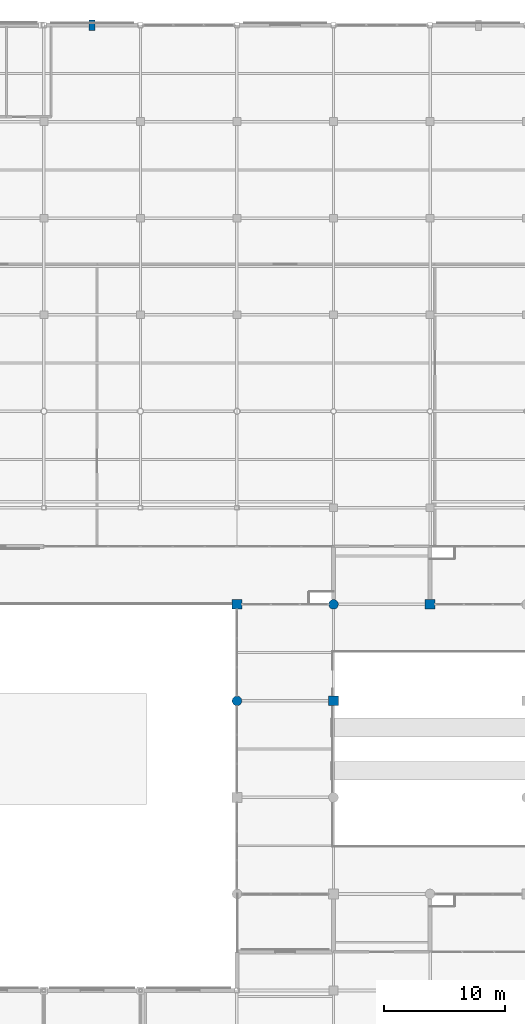
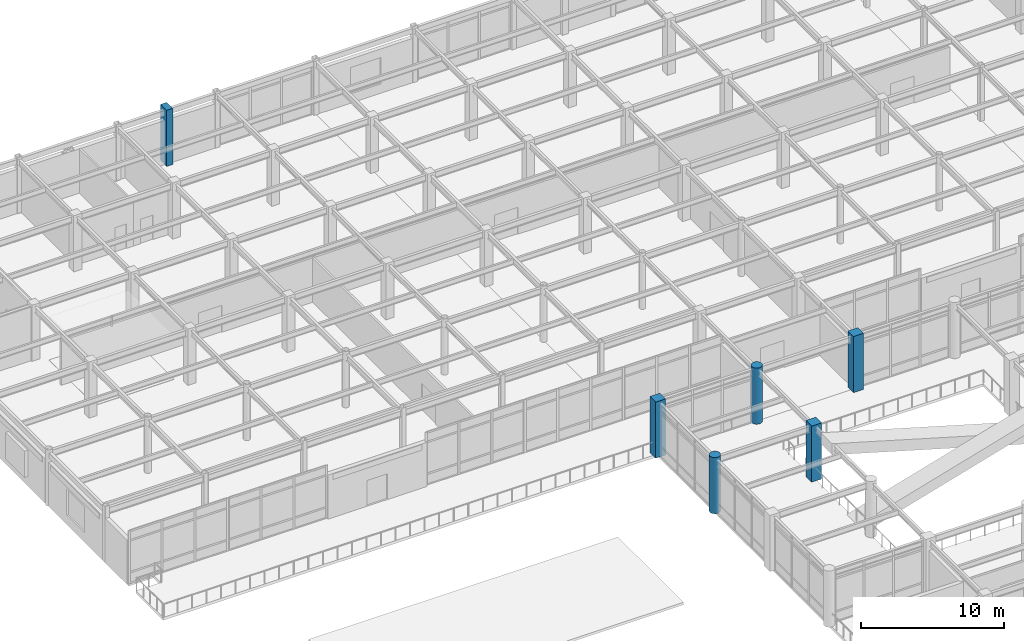
# One storey, part 11 of 117: 6 columns.
"""IFC4 building model written with IfcOpenShell, lengths in metres."""

import ifcopenshell
import ifcopenshell.guid

model = None  # the IFC model being written
_history = None  # IfcOwnerHistory: only IFC2X3 demands one
_inside = {}  # id of a spatial element -> (the spatial element, [elements in it])
_under = {}  # id of a project, library or spatial element -> (it, [spatial elements below it])
_declared = {}  # id of a project -> (the project, [libraries it declares])
_typed = {}  # id of a type object -> (the type object, [elements of that type])
_made_of = {}  # id of a material, layer set ... -> (it, [elements and type objects made of it])


def new_model(schema):
    """Start an empty IFC model of exactly this schema.

    Asked for "IFC4X3", IfcOpenShell would pick the latest addendum, in which some entities
    have other attributes; the version numbers below select the first issue.
    IFC2X3 requires an IfcOwnerHistory on every rooted entity: one is made here for all.
    """
    global model, _history
    if schema == "IFC4X3":
        model = ifcopenshell.file(schema_version=(4, 3, 0, 0))
    else:
        model = ifcopenshell.file(schema=schema)
    _inside.clear()
    _under.clear()
    _declared.clear()
    _typed.clear()
    _made_of.clear()
    _history = None
    if model.schema == "IFC2X3":
        org = make("IfcOrganization", Name="unknown")
        user = make(
            "IfcPersonAndOrganization",
            ThePerson=make("IfcPerson", FamilyName="unknown"),
            TheOrganization=org,
        )
        app = make(
            "IfcApplication",
            ApplicationDeveloper=org,
            Version="unknown",
            ApplicationFullName="unknown",
            ApplicationIdentifier="unknown",
        )
        _history = make(
            "IfcOwnerHistory",
            OwningUser=user,
            OwningApplication=app,
            ChangeAction="ADDED",
            CreationDate=0,
        )
    return model


def make(cls, **values):
    """One entity of the class cls with the attributes given. An attribute that is None is left unset."""
    return model.create_entity(
        cls, **{name: value for name, value in values.items() if value is not None}
    )


def rooted(cls, **values):
    """An entity with a GlobalId (a new one), such as an element, a storey or a relation."""
    return make(cls, GlobalId=ifcopenshell.guid.new(), OwnerHistory=_history, **values)


def si_unit(unit_type, name, prefix=None):
    """IfcSIUnit, for example si_unit("LENGTHUNIT", "METRE", prefix="MILLI")."""
    return make("IfcSIUnit", UnitType=unit_type, Prefix=prefix, Name=name)


def assignment(units):
    """IfcUnitAssignment: the units of a project."""
    return None if units is None else make("IfcUnitAssignment", Units=units)


def point(xyz):
    """IfcCartesianPoint."""
    return None if xyz is None else make("IfcCartesianPoint", Coordinates=xyz)


def direction(xyz):
    """IfcDirection."""
    return None if xyz is None else make("IfcDirection", DirectionRatios=xyz)


def frame(location, z_axis=None, x_axis=None):
    """IfcAxis2Placement3D, a coordinate frame: its origin and axes. An axis left out is left unset."""
    return make(
        "IfcAxis2Placement3D",
        Location=point(location),
        Axis=direction(z_axis),
        RefDirection=direction(x_axis),
    )


def frame_2d(location, x_axis=None):
    """IfcAxis2Placement2D, a coordinate frame in the plane: its origin and x axis."""
    return make(
        "IfcAxis2Placement2D", Location=point(location), RefDirection=direction(x_axis)
    )


def origin():
    """The frame at (0, 0, 0) with its axes left unset."""
    return frame((0.0, 0.0, 0.0))


def origin_2d():
    """The frame at (0, 0) in the plane with its x axis left unset."""
    return frame_2d((0.0, 0.0))


def place(relative_to, where):
    """IfcLocalPlacement: puts the frame where relative to a parent placement (None: the world)."""
    return make(
        "IfcLocalPlacement", PlacementRelTo=relative_to, RelativePlacement=where
    )


def context(
    kind, dimensions, precision=None, world=None, true_north=None, identifier=None
):
    """IfcGeometricRepresentationContext, for example the 3D "Model" context."""
    return make(
        "IfcGeometricRepresentationContext",
        ContextIdentifier=identifier,
        ContextType=kind,
        CoordinateSpaceDimension=dimensions,
        Precision=precision,
        WorldCoordinateSystem=world,
        TrueNorth=true_north,
    )


def subcontext(parent, identifier, kind, view, scale=None):
    """IfcGeometricRepresentationSubContext, for example "Body" below "Model"."""
    return make(
        "IfcGeometricRepresentationSubContext",
        ContextIdentifier=identifier,
        ContextType=kind,
        ParentContext=parent,
        TargetScale=scale,
        TargetView=view,
    )


def project(units=None, contexts=None):
    """IfcProject with its units and contexts."""
    return rooted(
        "IfcProject",
        Name="project",
        RepresentationContexts=contexts,
        UnitsInContext=assignment(units),
    )


def spatial(cls, under=None, at=None, **own):
    """A site, building, storey or space (cls), placed at a placement, below another one or the project."""
    s = rooted(cls, ObjectPlacement=at, **own)
    if under is not None:
        _under.setdefault(under.id(), (under, []))[1].append(s)
    return s


def profile(cls, at=None, kind="AREA", **sizes):
    """A parametric profile (cls). Its sizes go by their IFC names, for example OverallWidth=200.0."""
    return make(cls, ProfileType=kind, Position=at, **sizes)


def rectangle(**sizes):
    """IfcRectangleProfileDef."""
    return profile("IfcRectangleProfileDef", **sizes)


def circle(**sizes):
    """IfcCircleProfileDef."""
    return profile("IfcCircleProfileDef", **sizes)


def extrude(swept, where, along, depth):
    """IfcExtrudedAreaSolid: the profile swept, set in the frame where, extruded along a direction by depth."""
    return make(
        "IfcExtrudedAreaSolid",
        SweptArea=swept,
        Position=where,
        ExtrudedDirection=direction(along),
        Depth=depth,
    )


def shape(context_of_items, identifier, shape_type, items):
    """IfcShapeRepresentation: the items that make up one representation, for example the "Body"."""
    return make(
        "IfcShapeRepresentation",
        ContextOfItems=context_of_items,
        RepresentationIdentifier=identifier,
        RepresentationType=shape_type,
        Items=items,
    )


def material(Name=None, Category=None):
    """IfcMaterial."""
    return make("IfcMaterial", Name=Name, Category=Category)


def material_profile(
    of_material, cross_section, Name=None, Category=None, Priority=None
):
    """IfcMaterialProfile: a cross section and its material."""
    return make(
        "IfcMaterialProfile",
        Name=Name,
        Material=of_material,
        Profile=cross_section,
        Priority=Priority,
        Category=Category,
    )


def profile_set(profiles, Name=None, composite=None):
    """IfcMaterialProfileSet."""
    return make(
        "IfcMaterialProfileSet",
        Name=Name,
        MaterialProfiles=profiles,
        CompositeProfile=composite,
    )


def made_of(thing, what):
    """Note that an element or type object is made of a material, layer set ...; save() writes the relation."""
    if what is not None:
        _made_of.setdefault(what.id(), (what, []))[1].append(thing)
    return thing


def type_object(cls, material=None, **own):
    """A type object (cls), such as IfcWallType, which elements share."""
    return made_of(rooted(cls, **own), material)


def element(
    cls,
    number,
    at=None,
    inside=None,
    cuts=None,
    type_object=None,
    material=None,
    context=None,
    identifier="Body",
    shape_type=None,
    held_by="IfcProductDefinitionShape",
    body=None,
    shapes=None,
    **own,
):
    """One element of the class cls, such as IfcWall. Its Tag is "e" and its number.

    at: its placement. inside: the storey or other place that contains it. cuts: it is an
    opening in that element (IfcRelVoidsElement). A single representation is given by context,
    identifier, shape_type and body (its items); several are given by shapes. held_by: the class
    of the entity that holds the representations. save() writes the other relations.
    """
    e = rooted(cls, Tag="e%d" % number, ObjectPlacement=at, **own)
    if body is not None:
        shapes = [shape(context, identifier, shape_type, body)]
    if shapes is not None:
        e.Representation = make(held_by, Representations=shapes)
    if inside is not None:
        _inside.setdefault(inside.id(), (inside, []))[1].append(e)
    if cuts is not None:
        rooted(
            "IfcRelVoidsElement", RelatingBuildingElement=cuts, RelatedOpeningElement=e
        )
    if type_object is not None:
        _typed.setdefault(type_object.id(), (type_object, []))[1].append(e)
    return made_of(e, material)


def aggregate(whole, parts):
    """IfcRelAggregates: a whole, such as a stair, and the parts it consists of."""
    return rooted("IfcRelAggregates", RelatingObject=whole, RelatedObjects=parts)


def save(model, path):
    """Write the relations noted so far, then the file.

    IfcRelAggregates (storeys below a building ...), IfcRelContainedInSpatialStructure (elements
    in a storey), IfcRelDefinesByType, IfcRelAssociatesMaterial and IfcRelDeclares: one each for
    every whole, place, type object, material and project.
    """
    for whole, parts in _under.values():
        aggregate(whole, parts)
    for where, things in _inside.values():
        rooted(
            "IfcRelContainedInSpatialStructure",
            RelatedElements=things,
            RelatingStructure=where,
        )
    for kind, things in _typed.values():
        rooted("IfcRelDefinesByType", RelatedObjects=things, RelatingType=kind)
    for what, things in _made_of.values():
        rooted("IfcRelAssociatesMaterial", RelatedObjects=things, RelatingMaterial=what)
    for by, libraries in _declared.values():
        rooted("IfcRelDeclares", RelatingContext=by, RelatedDefinitions=libraries)
    model.write(path)


model = new_model("IFC4")

# Units and contexts
model_context = context("Model", 3, precision=1e-05, world=origin(), true_north=direction((0.0, 1.0)))
body_context = subcontext(model_context, "Body", "Model", "MODEL_VIEW")
ifc_project = project(units=[si_unit("LENGTHUNIT", "METRE"), si_unit("AREAUNIT", "SQUARE_METRE"), si_unit("VOLUMEUNIT", "CUBIC_METRE"), si_unit("PLANEANGLEUNIT", "RADIAN"), si_unit("MASSUNIT", "GRAM", prefix="KILO")], contexts=[model_context])

# Site, building, storey
site_placement = place(None, origin())
site = spatial("IfcSite", under=ifc_project, at=site_placement, CompositionType="ELEMENT")
building_placement = place(site_placement, origin())
building = spatial("IfcBuilding", under=site, at=building_placement, Name="Solmirada Galleria", CompositionType="ELEMENT")
storey_placement = place(building_placement, frame((0.0, 0.0, 5.60009765625)))
storey = spatial("IfcBuildingStorey", under=building, at=storey_placement, Name="L01", CompositionType="ELEMENT", Elevation=5.60009765625)

# Columns
ifc_material_1 = material(Name="Concrete C40/50", Category="concrete")
ifc_material_profile_1 = material_profile(ifc_material_1, circle(Radius=0.39990234375, at=origin_2d()), Name="RCCOL800")
ifc_profile_set_1 = profile_set([ifc_material_profile_1], Name="Concrete C40/50")
column_type_1 = type_object("IfcColumnType", Name="COL-CIR800", PredefinedType="COLUMN", material=ifc_profile_set_1)
for number, where, z_axis, x_axis, name in (
    (1, (80.0, 64.0, 0.0), (0.0, 0.0, 1.0), (1.0, 0.0, 0.0), "Structural column L01-0407"),
    (2, (88.0, 72.0, 0.0), (0.0, 0.0, 1.0), (1.0, 0.0, 0.0), "Structural column L01-0535"),
):
    element("IfcColumn", number, at=place(storey_placement, frame(where, z_axis=z_axis, x_axis=x_axis)), inside=storey, type_object=column_type_1, Name=name, PredefinedType="COLUMN", context=body_context, shape_type="SweptSolid", body=[
        extrude(circle(Radius=0.39990234375, at=origin_2d()), origin(), (0.0, 0.0, 1.0), 4.7998046875),
    ])
ifc_material_profile_2 = material_profile(ifc_material_1, rectangle(XDim=0.800048828125, YDim=0.800048828125, at=origin_2d()), Name="RC800X800")
ifc_profile_set_2 = profile_set([ifc_material_profile_2], Name="Concrete C40/50")
column_type_2 = type_object("IfcColumnType", Name="COL-RC800", PredefinedType="COLUMN", material=ifc_profile_set_2)
for number, where, z_axis, x_axis, name in (
    (3, (80.0, 72.0, 0.0), (0.0, 0.0, 1.0), (1.0, 0.0, 0.0), "Structural column L01-0416"),
    (4, (88.0, 64.0, 0.0), (0.0, 0.0, 1.0), (1.0, 0.0, 0.0), "Structural column L01-0528"),
    (5, (96.0, 72.0, 0.0), (0.0, 0.0, 1.0), (1.0, 0.0, 0.0), "Structural column L01-0643"),
):
    element("IfcColumn", number, at=place(storey_placement, frame(where, z_axis=z_axis, x_axis=x_axis)), inside=storey, type_object=column_type_2, Name=name, PredefinedType="COLUMN", context=body_context, shape_type="SweptSolid", body=[
        extrude(rectangle(XDim=0.800048828125, YDim=0.800048828125, at=origin_2d()), origin(), (0.0, 0.0, 1.0), 4.7998046875),
    ])
ifc_material_2 = material(Name="Precast concrete C40/50", Category="concrete")
ifc_material_profile_3 = material_profile(ifc_material_2, rectangle(XDim=0.5, YDim=0.85009765625, at=origin_2d()), Name="RC850X500")
ifc_profile_set_3 = profile_set([ifc_material_profile_3], Name="Precast concrete C40/50")
column_type_3 = type_object("IfcColumnType", Name="PIL-RC850", PredefinedType="PILASTER", material=ifc_profile_set_3)
column_placement = place(storey_placement, frame((68.0, 120.0, 0.0), z_axis=(0.0, 0.0, 1.0), x_axis=(1.0, 0.0, 0.0)))
element("IfcColumn", 6, at=column_placement, inside=storey, type_object=column_type_3, Name="Avenue pilaster L01-007", PredefinedType="PILASTER", context=body_context, shape_type="SweptSolid", body=[
    extrude(rectangle(XDim=0.5, YDim=0.85009765625, at=origin_2d()), origin(), (0.0, 0.0, 1.0), 4.7998046875),
])

save(model, "model.ifc")
